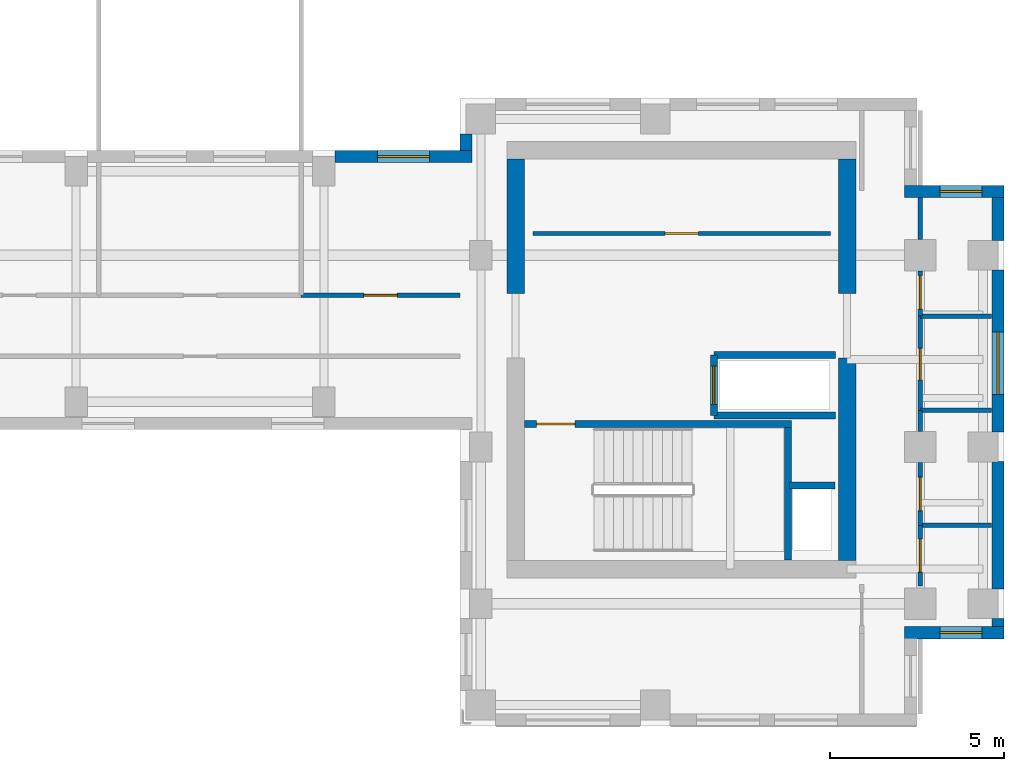
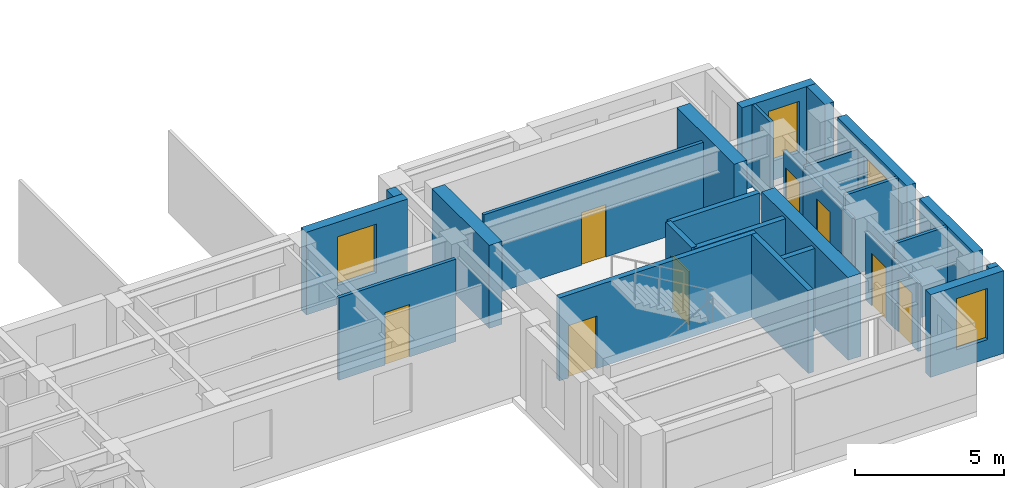
# One storey, part 6 of 10: 28 walls, 8 doors, 4 windows, 12 openings.
"""IFC4 building model written with IfcOpenShell, lengths in metres."""

from ifc_helpers import new_model, si_unit, direction, frame, frame_2d, origin, place, context, subcontext, project, spatial, rectangle, extrude, source, transform, mapped, material, layer, layer_set, type_object, element, fill, save


model = new_model("IFC4")

# Units and contexts
model_context = context("Model", 3, precision=1e-05, world=origin(), true_north=direction((0.0, 1.0)))
body_context = subcontext(model_context, "Body", "Model", "MODEL_VIEW")
ifc_project = project(units=[si_unit("LENGTHUNIT", "METRE"), si_unit("AREAUNIT", "SQUARE_METRE"), si_unit("VOLUMEUNIT", "CUBIC_METRE"), si_unit("PLANEANGLEUNIT", "RADIAN"), si_unit("MASSUNIT", "GRAM", prefix="KILO")], contexts=[model_context])

# Site, building, storey
site_placement = place(None, origin())
site = spatial("IfcSite", under=ifc_project, at=site_placement, CompositionType="ELEMENT")
building_placement = place(site_placement, origin())
building = spatial("IfcBuilding", under=site, at=building_placement, Name="Kharzan Plaza Tower", CompositionType="ELEMENT")
storey_placement = place(building_placement, frame((0.0, 0.0, 223.199951171875)))
storey = spatial("IfcBuildingStorey", under=building, at=storey_placement, Name="L60", CompositionType="ELEMENT", Elevation=223.199951171875)

# Wall, opening, window
ifc_material_1 = material(Name="Concrete C40/50", Category="concrete")
ifc_layer_1 = layer(ifc_material_1, 0.35009765625)
ifc_layer_set_1 = layer_set([ifc_layer_1], Name="Concrete C40/50")
wall_type_1 = type_object("IfcWallType", Name="WL-EXT-MAS-Z4", PredefinedType="SOLIDWALL", material=ifc_layer_set_1)
wall_1_placement = place(storey_placement, frame((47.14990234375, 2.675048828125, 0.0), z_axis=(0.0, 0.0, 1.0), x_axis=(1.0, 0.0, 0.0)))
wall_1 = element("IfcWall", 1, at=wall_1_placement, inside=storey, type_object=wall_type_1, Name="L60 Masonry-Frame Exterior Wall 38", PredefinedType="SOLIDWALL", context=body_context, shape_type="SweptSolid", body=[
    extrude(rectangle(XDim=2.85009765625, YDim=0.35009765625, at=frame_2d((1.425048828125, 0.0))), origin(), (0.0, 0.0, 1.0), 3.385009765625),
])
opening_1_placement = place(wall_1_placement, frame((1.014892578125, 0.0, 0.780029296875)))
opening_1 = element("IfcOpeningElement", 2, at=opening_1_placement, cuts=wall_1, Name="Opening W3", PredefinedType="OPENING", context=body_context, shape_type="SweptSolid", body=[
    extrude(rectangle(XDim=1.199951171875, YDim=2.10009765625, at=frame_2d((0.60009765625, 1.050048828125))), frame((0.0, 0.18505859375, 0.0), z_axis=(0.0, -1.0, 0.0), x_axis=(1.0, 0.0, 0.0)), (0.0, 0.0, 1.0), 0.3701171875),
])
ifc_material_2 = material(Name="Low-E Double Glazing", Category="glass")
window_type_1 = type_object("IfcWindowType", Name="WN-REC-1200x2100", PartitioningType="SINGLE_PANEL", PredefinedType="WINDOW", material=ifc_material_2)
shared_shape_1 = source(origin(), body_context, "Body", "SweptSolid", [
    extrude(rectangle(XDim=1.199951171875, YDim=2.10009765625, at=frame_2d((0.60009765625, 1.050048828125))), frame((0.0, 0.030029296875, 0.0), z_axis=(0.0, -1.0, 0.0), x_axis=(1.0, 0.0, 0.0)), (0.0, 0.0, 1.0), 0.06005859375),
])
window_1_placement = place(opening_1_placement, origin())
window_1 = element("IfcWindow", 3, at=window_1_placement, inside=storey, type_object=window_type_1, Name="L60 Recessed Solar-Control Window 38-1", OverallHeight=2.10009765625, OverallWidth=1.199951171875, PartitioningType="SINGLE_PANEL", PredefinedType="WINDOW", context=body_context, shape_type="MappedRepresentation", body=[
    mapped(shared_shape_1, transform((0.0, 0.0, 0.0), x_axis=(1.0, 0.0, 0.0), y_axis=(0.0, 1.0, 0.0), z_axis=(0.0, 0.0, 1.0))),
])
fill(opening_1, window_1)

wall_2_placement = place(storey_placement, frame((49.824951171875, 8.423095703125, 0.0), z_axis=(0.0, 0.0, 1.0), x_axis=(0.0, 1.0, 0.0)))
wall_2 = element("IfcWall", 4, at=wall_2_placement, inside=storey, type_object=wall_type_1, Name="L60 Masonry-Frame Exterior Wall 41", PredefinedType="SOLIDWALL", context=body_context, shape_type="SweptSolid", body=[
    extrude(rectangle(XDim=4.65380859375, YDim=0.35009765625, at=frame_2d((2.326904296875, 0.0))), origin(), (0.0, 0.0, 1.0), 3.385009765625),
])
opening_2_placement = place(wall_2_placement, frame((1.076904296875, 0.0, 0.780029296875)))
opening_2 = element("IfcOpeningElement", 5, at=opening_2_placement, cuts=wall_2, Name="Opening W1", PredefinedType="OPENING", context=body_context, shape_type="SweptSolid", body=[
    extrude(rectangle(XDim=1.800048828125, YDim=2.10009765625, at=frame_2d((0.89990234375, 1.050048828125))), frame((0.0, 0.18505859375, 0.0), z_axis=(0.0, -1.0, 0.0), x_axis=(1.0, 0.0, 0.0)), (0.0, 0.0, 1.0), 0.3701171875),
])
window_type_2 = type_object("IfcWindowType", Name="WN-REC-1800x2100", PartitioningType="SINGLE_PANEL", PredefinedType="WINDOW", material=ifc_material_2)
shared_shape_2 = source(origin(), body_context, "Body", "SweptSolid", [
    extrude(rectangle(XDim=1.800048828125, YDim=2.10009765625, at=frame_2d((0.89990234375, 1.050048828125))), frame((0.0, 0.030029296875, 0.0), z_axis=(0.0, -1.0, 0.0), x_axis=(1.0, 0.0, 0.0)), (0.0, 0.0, 1.0), 0.06005859375),
])
window_2_placement = place(opening_2_placement, origin())
window_2 = element("IfcWindow", 6, at=window_2_placement, inside=storey, type_object=window_type_2, Name="L60 Recessed Solar-Control Window 41-1", OverallHeight=2.10009765625, OverallWidth=1.800048828125, PartitioningType="SINGLE_PANEL", PredefinedType="WINDOW", context=body_context, shape_type="MappedRepresentation", body=[
    mapped(shared_shape_2, transform((0.0, 0.0, 0.0), x_axis=(1.0, 0.0, 0.0), y_axis=(0.0, 1.0, 0.0), z_axis=(0.0, 0.0, 1.0))),
])
fill(opening_2, window_2)

wall_3_placement = place(storey_placement, frame((50.0, 15.324951171875, 0.0), z_axis=(0.0, 0.0, 1.0), x_axis=(-1.0, 0.0, 0.0)))
wall_3 = element("IfcWall", 7, at=wall_3_placement, inside=storey, type_object=wall_type_1, Name="L60 Masonry-Frame Exterior Wall 43", PredefinedType="SOLIDWALL", context=body_context, shape_type="SweptSolid", body=[
    extrude(rectangle(XDim=2.85009765625, YDim=0.35009765625, at=frame_2d((1.425048828125, 0.0))), origin(), (0.0, 0.0, 1.0), 3.385009765625),
])
opening_3_placement = place(wall_3_placement, frame((0.635009765625, 0.0, 0.780029296875)))
opening_3 = element("IfcOpeningElement", 8, at=opening_3_placement, cuts=wall_3, Name="Opening W3", PredefinedType="OPENING", context=body_context, shape_type="SweptSolid", body=[
    extrude(rectangle(XDim=1.199951171875, YDim=2.10009765625, at=frame_2d((0.60009765625, 1.050048828125))), frame((0.0, 0.18505859375, 0.0), z_axis=(0.0, -1.0, 0.0), x_axis=(1.0, 0.0, 0.0)), (0.0, 0.0, 1.0), 0.3701171875),
])
window_3_placement = place(opening_3_placement, origin())
window_3 = element("IfcWindow", 9, at=window_3_placement, inside=storey, type_object=window_type_1, Name="L60 Recessed Solar-Control Window 43-1", OverallHeight=2.10009765625, OverallWidth=1.199951171875, PartitioningType="SINGLE_PANEL", PredefinedType="WINDOW", context=body_context, shape_type="MappedRepresentation", body=[
    mapped(shared_shape_1, transform((0.0, 0.0, 0.0), x_axis=(1.0, 0.0, 0.0), y_axis=(0.0, 1.0, 0.0), z_axis=(0.0, 0.0, 1.0))),
])
fill(opening_3, window_3)

wall_4_placement = place(storey_placement, frame((34.75, 16.324951171875, 0.0), z_axis=(0.0, 0.0, 1.0), x_axis=(-1.0, 0.0, 0.0)))
wall_4 = element("IfcWall", 10, at=wall_4_placement, inside=storey, type_object=wall_type_1, Name="L60 Masonry-Frame Exterior Wall 48", PredefinedType="SOLIDWALL", context=body_context, shape_type="SweptSolid", body=[
    extrude(rectangle(XDim=3.927001953125, YDim=0.35009765625, at=frame_2d((1.96337890625, 0.0))), origin(), (0.0, 0.0, 1.0), 3.385009765625),
])
opening_4_placement = place(wall_4_placement, frame((1.21337890625, 0.0, 0.780029296875)))
opening_4 = element("IfcOpeningElement", 11, at=opening_4_placement, cuts=wall_4, Name="Opening W5", PredefinedType="OPENING", context=body_context, shape_type="SweptSolid", body=[
    extrude(rectangle(XDim=1.5, YDim=2.0, at=frame_2d((0.75, 1.0))), frame((0.0, 0.18505859375, 0.0), z_axis=(0.0, -1.0, 0.0), x_axis=(1.0, 0.0, 0.0)), (0.0, 0.0, 1.0), 0.3701171875),
])
window_type_3 = type_object("IfcWindowType", Name="WN-SLT-1500x2000", PartitioningType="SINGLE_PANEL", PredefinedType="WINDOW", material=ifc_material_2)
shared_shape_3 = source(origin(), body_context, "Body", "SweptSolid", [
    extrude(rectangle(XDim=1.5, YDim=2.0, at=frame_2d((0.75, 1.0))), frame((0.0, 0.030029296875, 0.0), z_axis=(0.0, -1.0, 0.0), x_axis=(1.0, 0.0, 0.0)), (0.0, 0.0, 1.0), 0.06005859375),
])
window_4_placement = place(opening_4_placement, origin())
window_4 = element("IfcWindow", 12, at=window_4_placement, inside=storey, type_object=window_type_3, Name="L60 Recessed Solar-Control Window 48-1", OverallHeight=2.0, OverallWidth=1.5, PartitioningType="SINGLE_PANEL", PredefinedType="WINDOW", context=body_context, shape_type="MappedRepresentation", body=[
    mapped(shared_shape_3, transform((0.0, 0.0, 0.0), x_axis=(1.0, 0.0, 0.0), y_axis=(0.0, 1.0, 0.0), z_axis=(0.0, 0.0, 1.0))),
])
fill(opening_4, window_4)

# Wall, opening, door
ifc_material_3 = material(Name="Fire-Rated Gypsum Board Partition", Category="gypsum")
ifc_layer_2 = layer(ifc_material_3, 0.125)
ifc_layer_set_2 = layer_set([ifc_layer_2], Name="Fire-Rated Gypsum Board Partition")
wall_type_2 = type_object("IfcWallType", Name="WL-INT-PART-125", PredefinedType="PARTITIONING", material=ifc_layer_set_2)
wall_5_placement = place(storey_placement, frame((36.5, 14.1201171875, 0.0), z_axis=(0.0, 0.0, 1.0), x_axis=(1.0, 0.0, 0.0)))
wall_5 = element("IfcWall", 13, at=wall_5_placement, inside=storey, type_object=wall_type_2, Name="L60 Interior Partition CB-RBLS1", PredefinedType="PARTITIONING", context=body_context, shape_type="SweptSolid", body=[
    extrude(rectangle(XDim=8.52001953125, YDim=0.125, at=frame_2d((4.260009765625, 0.0))), origin(), (0.0, 0.0, 1.0), 3.385009765625),
])
opening_5_placement = place(wall_5_placement, frame((3.784912109375, 0.0, 0.0)))
opening_5 = element("IfcOpeningElement", 14, at=opening_5_placement, cuts=wall_5, Name="Opening OD1", PredefinedType="OPENING", context=body_context, shape_type="SweptSolid", body=[
    extrude(rectangle(XDim=0.949951171875, YDim=2.14990234375, at=frame_2d((0.47509765625, 1.074951171875))), frame((0.0, 0.072509765625, 0.0), z_axis=(0.0, -1.0, 0.0), x_axis=(1.0, 0.0, 0.0)), (0.0, 0.0, 1.0), 0.14501953125),
])
ifc_material_4 = material(Name="Acoustic Solid-Core Stained Oak", Category="timber")
door_type_1 = type_object("IfcDoorType", Name="DR-OFF-SINGLE", OperationType="NOTDEFINED", PredefinedType="DOOR", material=ifc_material_4)
shared_shape_4 = source(origin(), body_context, "Body", "SweptSolid", [
    extrude(rectangle(XDim=0.949951171875, YDim=2.14990234375, at=frame_2d((0.47509765625, 1.074951171875))), frame((0.0, 0.02490234375, 0.0), z_axis=(0.0, -1.0, 0.0), x_axis=(1.0, 0.0, 0.0)), (0.0, 0.0, 1.0), 0.050048828125),
])
door_1_placement = place(opening_5_placement, origin())
door_1 = element("IfcDoor", 15, at=door_1_placement, inside=storey, type_object=door_type_1, Name="L60 Mail Room Door", OperationType="SINGLE_SWING_RIGHT", OverallHeight=2.14990234375, OverallWidth=0.949951171875, PredefinedType="DOOR", context=body_context, shape_type="MappedRepresentation", body=[
    mapped(shared_shape_4, transform((0.0, 0.0, 0.0), x_axis=(1.0, 0.0, 0.0), y_axis=(0.0, 1.0, 0.0), z_axis=(0.0, 0.0, 1.0))),
])
fill(opening_5, door_1)

wall_6_placement = place(storey_placement, frame((47.60009765625, 4.02001953125, 0.0), z_axis=(0.0, 0.0, 1.0), x_axis=(0.0, 1.0, 0.0)))
wall_6 = element("IfcWall", 16, at=wall_6_placement, inside=storey, type_object=wall_type_2, Name="L60 Interior Partition SH-B3W0", PredefinedType="PARTITIONING", context=body_context, shape_type="SweptSolid", body=[
    extrude(rectangle(XDim=1.72998046875, YDim=0.125, at=frame_2d((0.864990234375, 0.0))), origin(), (0.0, 0.0, 1.0), 2.77294921875),
])
opening_6_placement = place(wall_6_placement, frame((0.389892578125, 0.0, 0.0)))
opening_6 = element("IfcOpeningElement", 17, at=opening_6_placement, cuts=wall_6, Name="Opening OD1", PredefinedType="OPENING", context=body_context, shape_type="SweptSolid", body=[
    extrude(rectangle(XDim=0.949951171875, YDim=2.14990234375, at=frame_2d((0.47509765625, 1.074951171875))), frame((0.0, 0.072509765625, 0.0), z_axis=(0.0, -1.0, 0.0), x_axis=(1.0, 0.0, 0.0)), (0.0, 0.0, 1.0), 0.14501953125),
])
door_2_placement = place(opening_6_placement, origin())
door_2 = element("IfcDoor", 18, at=door_2_placement, inside=storey, type_object=door_type_1, Name="L60 Wing B Office 1 Door", OperationType="SINGLE_SWING_RIGHT", OverallHeight=2.14990234375, OverallWidth=0.949951171875, PredefinedType="DOOR", context=body_context, shape_type="MappedRepresentation", body=[
    mapped(shared_shape_4, transform((0.0, 0.0, 0.0), x_axis=(1.0, 0.0, 0.0), y_axis=(0.0, 1.0, 0.0), z_axis=(0.0, 0.0, 1.0))),
])
fill(opening_6, door_2)

wall_7_placement = place(storey_placement, frame((47.60009765625, 5.75, 0.0), z_axis=(0.0, 0.0, 1.0), x_axis=(0.0, 1.0, 0.0)))
wall_7 = element("IfcWall", 19, at=wall_7_placement, inside=storey, type_object=wall_type_2, Name="L60 Interior Partition SH-B3W1-S1", PredefinedType="PARTITIONING", context=body_context, shape_type="SweptSolid", body=[
    extrude(rectangle(XDim=1.800048828125, YDim=0.125, at=frame_2d((0.89990234375, 0.0))), origin(), (0.0, 0.0, 1.0), 2.77294921875),
])
opening_7_placement = place(wall_7_placement, frame((0.425048828125, 0.0, 0.0)))
opening_7 = element("IfcOpeningElement", 20, at=opening_7_placement, cuts=wall_7, Name="Opening OD1", PredefinedType="OPENING", context=body_context, shape_type="SweptSolid", body=[
    extrude(rectangle(XDim=0.949951171875, YDim=2.14990234375, at=frame_2d((0.47509765625, 1.074951171875))), frame((0.0, 0.072509765625, 0.0), z_axis=(0.0, -1.0, 0.0), x_axis=(1.0, 0.0, 0.0)), (0.0, 0.0, 1.0), 0.14501953125),
])
door_3_placement = place(opening_7_placement, origin())
door_3 = element("IfcDoor", 21, at=door_3_placement, inside=storey, type_object=door_type_1, Name="L60 Wing B Office 2 Door", OperationType="SINGLE_SWING_LEFT", OverallHeight=2.14990234375, OverallWidth=0.949951171875, PredefinedType="DOOR", context=body_context, shape_type="MappedRepresentation", body=[
    mapped(shared_shape_4, transform((0.0, 0.0, 0.0), x_axis=(1.0, 0.0, 0.0), y_axis=(0.0, 1.0, 0.0), z_axis=(0.0, 0.0, 1.0))),
])
fill(opening_7, door_3)

wall_8_placement = place(storey_placement, frame((47.60009765625, 11.75, 0.0), z_axis=(0.0, 0.0, 1.0), x_axis=(0.0, 1.0, 0.0)))
wall_8 = element("IfcWall", 22, at=wall_8_placement, inside=storey, type_object=wall_type_2, Name="L60 Interior Partition SH-B3W2-S1", PredefinedType="PARTITIONING", context=body_context, shape_type="SweptSolid", body=[
    extrude(rectangle(XDim=1.300048828125, YDim=0.125, at=frame_2d((0.64990234375, 0.0))), origin(), (0.0, 0.0, 1.0), 2.77294921875),
])
opening_8_placement = place(wall_8_placement, frame((0.2099609375, 0.0, 0.0)))
opening_8 = element("IfcOpeningElement", 23, at=opening_8_placement, cuts=wall_8, Name="Opening OD1", PredefinedType="OPENING", context=body_context, shape_type="SweptSolid", body=[
    extrude(rectangle(XDim=0.949951171875, YDim=2.14990234375, at=frame_2d((0.47509765625, 1.074951171875))), frame((0.0, 0.072509765625, 0.0), z_axis=(0.0, -1.0, 0.0), x_axis=(1.0, 0.0, 0.0)), (0.0, 0.0, 1.0), 0.14501953125),
])
door_4_placement = place(opening_8_placement, origin())
door_4 = element("IfcDoor", 24, at=door_4_placement, inside=storey, type_object=door_type_1, Name="L60 Wing B Office 3 Door", OperationType="SINGLE_SWING_LEFT", OverallHeight=2.14990234375, OverallWidth=0.949951171875, PredefinedType="DOOR", context=body_context, shape_type="MappedRepresentation", body=[
    mapped(shared_shape_4, transform((0.0, 0.0, 0.0), x_axis=(1.0, 0.0, 0.0), y_axis=(0.0, 1.0, 0.0), z_axis=(0.0, 0.0, 1.0))),
])
fill(opening_8, door_4)

wall_9_placement = place(storey_placement, frame((47.60009765625, 9.050048828125, 0.0), z_axis=(0.0, 0.0, 1.0), x_axis=(0.0, 1.0, 0.0)))
wall_9 = element("IfcWall", 25, at=wall_9_placement, inside=storey, type_object=wall_type_2, Name="L60 Interior Partition SH-B3WC", PredefinedType="PARTITIONING", context=body_context, shape_type="SweptSolid", body=[
    extrude(rectangle(XDim=2.699951171875, YDim=0.125, at=frame_2d((1.35009765625, 0.0))), origin(), (0.0, 0.0, 1.0), 2.77294921875),
])
opening_9_placement = place(wall_9_placement, frame((0.875, 0.0, 0.0)))
opening_9 = element("IfcOpeningElement", 26, at=opening_9_placement, cuts=wall_9, Name="Opening WD1", PredefinedType="OPENING", context=body_context, shape_type="SweptSolid", body=[
    extrude(rectangle(XDim=0.89990234375, YDim=2.14990234375, at=frame_2d((0.449951171875, 1.074951171875))), frame((0.0, 0.072509765625, 0.0), z_axis=(0.0, -1.0, 0.0), x_axis=(1.0, 0.0, 0.0)), (0.0, 0.0, 1.0), 0.14501953125),
])
ifc_material_5 = material(Name="Moisture-Resistant Fire-Rated Laminate", Category="timber")
door_type_2 = type_object("IfcDoorType", Name="DR-WC-900", OperationType="NOTDEFINED", PredefinedType="DOOR", material=ifc_material_5)
shared_shape_5 = source(origin(), body_context, "Body", "SweptSolid", [
    extrude(rectangle(XDim=0.89990234375, YDim=2.14990234375, at=frame_2d((0.449951171875, 1.074951171875))), frame((0.0, 0.02490234375, 0.0), z_axis=(0.0, -1.0, 0.0), x_axis=(1.0, 0.0, 0.0)), (0.0, 0.0, 1.0), 0.050048828125),
])
door_5_placement = place(opening_9_placement, origin())
door_5 = element("IfcDoor", 27, at=door_5_placement, inside=storey, type_object=door_type_2, Name="L60 Wing B Washroom Door", OperationType="SINGLE_SWING_RIGHT", OverallHeight=2.14990234375, OverallWidth=0.89990234375, PredefinedType="DOOR", context=body_context, shape_type="MappedRepresentation", body=[
    mapped(shared_shape_5, transform((0.0, 0.0, 0.0), x_axis=(1.0, 0.0, 0.0), y_axis=(0.0, 1.0, 0.0), z_axis=(0.0, 0.0, 1.0))),
])
fill(opening_9, door_5)

wall_10_placement = place(storey_placement, frame((29.85009765625, 12.35009765625, 0.0), z_axis=(0.0, 0.0, 1.0), x_axis=(1.0, 0.0, 0.0)))
wall_10 = element("IfcWall", 28, at=wall_10_placement, inside=storey, type_object=wall_type_2, Name="L60 Interior Partition SH-SPNE1", PredefinedType="PARTITIONING", context=body_context, shape_type="SweptSolid", body=[
    extrude(rectangle(XDim=4.5498046875, YDim=0.125, at=frame_2d((2.27490234375, 0.0))), origin(), (0.0, 0.0, 1.0), 3.385009765625),
])
opening_10_placement = place(wall_10_placement, frame((1.800048828125, 0.0, 0.0)))
opening_10 = element("IfcOpeningElement", 29, at=opening_10_placement, cuts=wall_10, Name="Opening OD1", PredefinedType="OPENING", context=body_context, shape_type="SweptSolid", body=[
    extrude(rectangle(XDim=0.949951171875, YDim=2.14990234375, at=frame_2d((0.47509765625, 1.074951171875))), frame((0.0, 0.072509765625, 0.0), z_axis=(0.0, -1.0, 0.0), x_axis=(1.0, 0.0, 0.0)), (0.0, 0.0, 1.0), 0.14501953125),
])
door_6_placement = place(opening_10_placement, origin())
door_6 = element("IfcDoor", 30, at=door_6_placement, inside=storey, type_object=door_type_1, Name="L60 North-East Spine Door", OperationType="SINGLE_SWING_LEFT", OverallHeight=2.14990234375, OverallWidth=0.949951171875, PredefinedType="DOOR", context=body_context, shape_type="MappedRepresentation", body=[
    mapped(shared_shape_4, transform((0.0, 0.0, 0.0), x_axis=(1.0, 0.0, 0.0), y_axis=(0.0, 1.0, 0.0), z_axis=(0.0, 0.0, 1.0))),
])
fill(opening_10, door_6)

ifc_layer_3 = layer(ifc_material_1, 0.199951171875)
ifc_layer_set_3 = layer_set([ifc_layer_3], Name="Concrete C40/50")
wall_type_3 = type_object("IfcWallType", Name="WL-INT-SHAFT-200", PredefinedType="PARTITIONING", material=ifc_layer_set_3)
wall_11_placement = place(storey_placement, frame((41.679931640625, 8.89990234375, 0.0), z_axis=(0.0, 0.0, 1.0), x_axis=(0.0, 1.0, 0.0)))
wall_11 = element("IfcWall", 31, at=wall_11_placement, inside=storey, type_object=wall_type_3, Name="L60 Interior Partition SHF-SVL-2-W", PredefinedType="PARTITIONING", context=body_context, shape_type="SweptSolid", body=[
    extrude(rectangle(XDim=1.739990234375, YDim=0.199951171875, at=frame_2d((0.8701171875, 0.0))), origin(), (0.0, 0.0, 1.0), 3.385009765625),
])
opening_11_placement = place(wall_11_placement, frame((0.320068359375, 0.0, 0.0)))
opening_11 = element("IfcOpeningElement", 32, at=opening_11_placement, cuts=wall_11, Name="Opening LD", PredefinedType="OPENING", context=body_context, shape_type="SweptSolid", body=[
    extrude(rectangle(XDim=1.10009765625, YDim=2.199951171875, at=frame_2d((0.550048828125, 1.10009765625))), frame((0.0, 0.10986328125, 0.0), z_axis=(0.0, -1.0, 0.0), x_axis=(1.0, 0.0, 0.0)), (0.0, 0.0, 1.0), 0.219970703125),
])
ifc_material_6 = material(Name="Brushed Stainless Steel", Category="steel")
door_type_3 = type_object("IfcDoorType", Name="DR-LIFT-SLIDE", OperationType="SLIDING_TO_LEFT", PredefinedType="DOOR", material=ifc_material_6)
shared_shape_6 = source(origin(), body_context, "Body", "SweptSolid", [
    extrude(rectangle(XDim=1.10009765625, YDim=2.199951171875, at=frame_2d((0.550048828125, 1.10009765625))), frame((0.0, 0.02490234375, 0.0), z_axis=(0.0, -1.0, 0.0), x_axis=(1.0, 0.0, 0.0)), (0.0, 0.0, 1.0), 0.050048828125),
])
door_7_placement = place(opening_11_placement, origin())
door_7 = element("IfcDoor", 33, at=door_7_placement, inside=storey, type_object=door_type_3, Name="L60 Service Lift SVL-2 Sliding Landing Door", OperationType="SLIDING_TO_LEFT", OverallHeight=2.199951171875, OverallWidth=1.10009765625, PredefinedType="DOOR", context=body_context, shape_type="MappedRepresentation", body=[
    mapped(shared_shape_6, transform((0.0, 0.0, 0.0), x_axis=(1.0, 0.0, 0.0), y_axis=(0.0, 1.0, 0.0), z_axis=(0.0, 0.0, 1.0))),
])
fill(opening_11, door_7)

ifc_material_7 = material(Name="Concrete C50/60", Category="concrete")
ifc_layer_4 = layer(ifc_material_7, 0.199951171875)
ifc_layer_set_4 = layer_set([ifc_layer_4], Name="Concrete C50/60")
wall_type_4 = type_object("IfcWallType", Name="WL-SHAFT-RC200", PredefinedType="SHEAR", material=ifc_layer_set_4)
wall_12_placement = place(storey_placement, frame((36.251953125, 8.655029296875, 0.0), z_axis=(0.0, 0.0, 1.0), x_axis=(1.0, 0.0, 0.0)))
wall_12 = element("IfcWall", 34, at=wall_12_placement, inside=storey, type_object=wall_type_4, Name="L60 Stair ST-3 North RC Shaft Wall", PredefinedType="SHEAR", context=body_context, shape_type="SweptSolid", body=[
    extrude(rectangle(XDim=7.653076171875, YDim=0.199951171875, at=frame_2d((3.82666015625, 0.0))), origin(), (0.0, 0.0, 1.0), 3.400146484375),
])
opening_12_placement = place(wall_12_placement, frame((0.35009765625, 0.0, 0.0)))
opening_12 = element("IfcOpeningElement", 35, at=opening_12_placement, cuts=wall_12, Name="Opening SD1", PredefinedType="OPENING", context=body_context, shape_type="SweptSolid", body=[
    extrude(rectangle(XDim=1.10009765625, YDim=2.14990234375, at=frame_2d((0.550048828125, 1.074951171875))), frame((0.0, 0.10986328125, 0.0), z_axis=(0.0, -1.0, 0.0), x_axis=(1.0, 0.0, 0.0)), (0.0, 0.0, 1.0), 0.219970703125),
])
ifc_material_8 = material(Name="Fire-Rated Hollow Galvanized Steel", Category="steel")
door_type_4 = type_object("IfcDoorType", Name="DR-STAIR-FD120", OperationType="NOTDEFINED", PredefinedType="DOOR", material=ifc_material_8)
shared_shape_7 = source(origin(), body_context, "Body", "SweptSolid", [
    extrude(rectangle(XDim=1.10009765625, YDim=2.14990234375, at=frame_2d((0.550048828125, 1.074951171875))), frame((0.0, 0.02490234375, 0.0), z_axis=(0.0, -1.0, 0.0), x_axis=(1.0, 0.0, 0.0)), (0.0, 0.0, 1.0), 0.050048828125),
])
door_8_placement = place(opening_12_placement, origin())
door_8 = element("IfcDoor", 36, at=door_8_placement, inside=storey, type_object=door_type_4, Name="L60 Stair ST-3 Fire Exit Door", OperationType="SINGLE_SWING_LEFT", OverallHeight=2.14990234375, OverallWidth=1.10009765625, PredefinedType="DOOR", context=body_context, shape_type="MappedRepresentation", body=[
    mapped(shared_shape_7, transform((0.0, 0.0, 0.0), x_axis=(1.0, 0.0, 0.0), y_axis=(0.0, 1.0, 0.0), z_axis=(0.0, 0.0, 1.0))),
])
fill(opening_12, door_8)

# Walls
shared_shape_8 = source(origin(), body_context, "Body", "SweptSolid", [
    extrude(rectangle(XDim=1.2998046875, YDim=0.199951171875, at=frame_2d((0.64990234375, 0.0))), origin(), (0.0, 0.0, 1.0), 3.385009765625),
])
wall_13_placement = place(storey_placement, frame((43.85009765625, 6.89990234375, 0.0), z_axis=(0.0, 0.0, 1.0), x_axis=(1.0, 0.0, 0.0)))
element("IfcWall", 37, at=wall_13_placement, inside=storey, type_object=wall_type_3, Name="L60 Interior Partition CB-RSRB-N", PredefinedType="PARTITIONING", context=body_context, shape_type="MappedRepresentation", body=[
    mapped(shared_shape_8, transform((0.0, 0.0, 0.0), x_axis=(1.0, 0.0, 0.0), y_axis=(0.0, 1.0, 0.0), z_axis=(0.0, 0.0, 1.0))),
])
shared_shape_9 = source(origin(), body_context, "Body", "SweptSolid", [
    extrude(rectangle(XDim=3.489990234375, YDim=0.199951171875, at=frame_2d((1.7451171875, 0.0))), origin(), (0.0, 0.0, 1.0), 3.385009765625),
])
for number, where, z_axis, x_axis, name in (
    (38, (41.679931640625, 10.639892578125, 0.0), (0.0, 0.0, 1.0), (1.0, 0.0, 0.0), "L60 Interior Partition SHF-SVL-2-N"),
    (39, (41.679931640625, 8.89990234375, 0.0), (0.0, 0.0, 1.0), (1.0, 0.0, 0.0), "L60 Interior Partition SHF-SVL-2-S"),
):
    element("IfcWall", number, at=place(storey_placement, frame(where, z_axis=z_axis, x_axis=x_axis)), inside=storey, type_object=wall_type_3, Name=name, PredefinedType="PARTITIONING", context=body_context, shape_type="MappedRepresentation", body=[
        mapped(shared_shape_9, transform((0.0, 0.0, 0.0), x_axis=(1.0, 0.0, 0.0), y_axis=(0.0, 1.0, 0.0), z_axis=(0.0, 0.0, 1.0))),
    ])
ifc_layer_5 = layer(ifc_material_7, 0.5)
ifc_layer_set_5 = layer_set([ifc_layer_5], Name="Concrete C50/60")
wall_type_5 = type_object("IfcWallType", Name="WL-CORE-500", PredefinedType="SHEAR", material=ifc_layer_set_5)
shared_shape_10 = source(origin(), body_context, "Body", "SweptSolid", [
    extrude(rectangle(XDim=5.800048828125, YDim=0.5, at=frame_2d((2.89990234375, 0.0))), origin(), (0.0, 0.0, 1.0), 3.400146484375),
])
wall_14_placement = place(storey_placement, frame((45.5, 4.75, 0.0), z_axis=(0.0, 0.0, 1.0), x_axis=(0.0, 1.0, 0.0)))
element("IfcWall", 40, at=wall_14_placement, inside=storey, type_object=wall_type_5, Name="L60 CORE-B east shear pier 1", PredefinedType="SHEAR", context=body_context, shape_type="MappedRepresentation", body=[
    mapped(shared_shape_10, transform((0.0, 0.0, 0.0), x_axis=(1.0, 0.0, 0.0), y_axis=(0.0, 1.0, 0.0), z_axis=(0.0, 0.0, 1.0))),
])
shared_shape_11 = source(origin(), body_context, "Body", "SweptSolid", [
    extrude(rectangle(XDim=3.85009765625, YDim=0.5, at=frame_2d((1.925048828125, 0.0))), origin(), (0.0, 0.0, 1.0), 3.400146484375),
])
for number, where, z_axis, x_axis, name in (
    (41, (45.5, 12.39990234375, 0.0), (0.0, 0.0, 1.0), (0.0, 1.0, 0.0), "L60 CORE-B east shear pier 2"),
    (42, (36.0, 12.39990234375, 0.0), (0.0, 0.0, 1.0), (0.0, 1.0, 0.0), "L60 CORE-B west shear pier 2"),
):
    element("IfcWall", number, at=place(storey_placement, frame(where, z_axis=z_axis, x_axis=x_axis)), inside=storey, type_object=wall_type_5, Name=name, PredefinedType="SHEAR", context=body_context, shape_type="MappedRepresentation", body=[
        mapped(shared_shape_11, transform((0.0, 0.0, 0.0), x_axis=(1.0, 0.0, 0.0), y_axis=(0.0, 1.0, 0.0), z_axis=(0.0, 0.0, 1.0))),
    ])
shared_shape_12 = source(origin(), body_context, "Body", "SweptSolid", [
    extrude(rectangle(XDim=0.22900390625, YDim=0.35009765625, at=frame_2d((0.114501953125, 0.0))), origin(), (0.0, 0.0, 1.0), 3.385009765625),
])
wall_15_placement = place(storey_placement, frame((49.824951171875, 2.847900390625, 0.0), z_axis=(0.0, 0.0, 1.0), x_axis=(0.0, 1.0, 0.0)))
element("IfcWall", 43, at=wall_15_placement, inside=storey, type_object=wall_type_1, Name="L60 Masonry-Frame Exterior Wall 39", PredefinedType="SOLIDWALL", context=body_context, shape_type="MappedRepresentation", body=[
    mapped(shared_shape_12, transform((0.0, 0.0, 0.0), x_axis=(1.0, 0.0, 0.0), y_axis=(0.0, 1.0, 0.0), z_axis=(0.0, 0.0, 1.0))),
])
shared_shape_13 = source(origin(), body_context, "Body", "SweptSolid", [
    extrude(rectangle(XDim=3.65380859375, YDim=0.35009765625, at=frame_2d((1.826904296875, 0.0))), origin(), (0.0, 0.0, 1.0), 3.385009765625),
])
wall_16_placement = place(storey_placement, frame((49.824951171875, 3.923095703125, 0.0), z_axis=(0.0, 0.0, 1.0), x_axis=(0.0, 1.0, 0.0)))
element("IfcWall", 44, at=wall_16_placement, inside=storey, type_object=wall_type_1, Name="L60 Masonry-Frame Exterior Wall 40", PredefinedType="SOLIDWALL", context=body_context, shape_type="MappedRepresentation", body=[
    mapped(shared_shape_13, transform((0.0, 0.0, 0.0), x_axis=(1.0, 0.0, 0.0), y_axis=(0.0, 1.0, 0.0), z_axis=(0.0, 0.0, 1.0))),
])
shared_shape_14 = source(origin(), body_context, "Body", "SweptSolid", [
    extrude(rectangle(XDim=1.22900390625, YDim=0.35009765625, at=frame_2d((0.614501953125, 0.0))), origin(), (0.0, 0.0, 1.0), 3.385009765625),
])
wall_17_placement = place(storey_placement, frame((49.824951171875, 13.923095703125, 0.0), z_axis=(0.0, 0.0, 1.0), x_axis=(0.0, 1.0, 0.0)))
element("IfcWall", 45, at=wall_17_placement, inside=storey, type_object=wall_type_1, Name="L60 Masonry-Frame Exterior Wall 42", PredefinedType="SOLIDWALL", context=body_context, shape_type="MappedRepresentation", body=[
    mapped(shared_shape_14, transform((0.0, 0.0, 0.0), x_axis=(1.0, 0.0, 0.0), y_axis=(0.0, 1.0, 0.0), z_axis=(0.0, 0.0, 1.0))),
])
shared_shape_15 = source(origin(), body_context, "Body", "SweptSolid", [
    extrude(rectangle(XDim=2.0478515625, YDim=0.125, at=frame_2d((1.02392578125, 0.0))), origin(), (0.0, 0.0, 1.0), 3.385009765625),
])
for number, where, z_axis, x_axis, name in (
    (46, (47.60009765625, 5.75, 0.0), (0.0, 0.0, 1.0), (1.0, 0.0, 0.0), "L60 Interior Partition SH-B3H-57"),
    (47, (47.60009765625, 9.050048828125, 0.0), (0.0, 0.0, 1.0), (1.0, 0.0, 0.0), "L60 Interior Partition SH-B3H-90"),
):
    element("IfcWall", number, at=place(storey_placement, frame(where, z_axis=z_axis, x_axis=x_axis)), inside=storey, type_object=wall_type_2, Name=name, PredefinedType="PARTITIONING", context=body_context, shape_type="MappedRepresentation", body=[
        mapped(shared_shape_15, transform((0.0, 0.0, 0.0), x_axis=(1.0, 0.0, 0.0), y_axis=(0.0, 1.0, 0.0), z_axis=(0.0, 0.0, 1.0))),
    ])
shared_shape_16 = source(origin(), body_context, "Body", "SweptSolid", [
    extrude(rectangle(XDim=1.197998046875, YDim=0.125, at=frame_2d((0.59912109375, 0.0))), origin(), (0.0, 0.0, 1.0), 3.385009765625),
])
wall_18_placement = place(storey_placement, frame((47.60009765625, 13.949951171875, 0.0), z_axis=(0.0, 0.0, 1.0), x_axis=(0.0, 1.0, 0.0)))
element("IfcWall", 48, at=wall_18_placement, inside=storey, type_object=wall_type_2, Name="L60 Interior Partition SH-B3W2-S2", PredefinedType="PARTITIONING", context=body_context, shape_type="MappedRepresentation", body=[
    mapped(shared_shape_16, transform((0.0, 0.0, 0.0), x_axis=(1.0, 0.0, 0.0), y_axis=(0.0, 1.0, 0.0), z_axis=(0.0, 0.0, 1.0))),
])
shared_shape_17 = source(origin(), body_context, "Body", "SweptSolid", [
    extrude(rectangle(XDim=3.802978515625, YDim=0.199951171875, at=frame_2d((1.9013671875, 0.0))), origin(), (0.0, 0.0, 1.0), 3.400146484375),
])
wall_19_placement = place(storey_placement, frame((43.804931640625, 4.751953125, 0.0), z_axis=(0.0, 0.0, 1.0), x_axis=(0.0, 1.0, 0.0)))
element("IfcWall", 49, at=wall_19_placement, inside=storey, type_object=wall_type_4, Name="L60 Stair ST-3 East RC Shaft Wall", PredefinedType="SHEAR", context=body_context, shape_type="MappedRepresentation", body=[
    mapped(shared_shape_17, transform((0.0, 0.0, 0.0), x_axis=(1.0, 0.0, 0.0), y_axis=(0.0, 1.0, 0.0), z_axis=(0.0, 0.0, 1.0))),
])
shared_shape_18 = source(origin(), body_context, "Body", "SweptSolid", [
    extrude(rectangle(XDim=2.0478515625, YDim=0.125, at=frame_2d((1.02392578125, 0.0))), origin(), (0.0, 0.0, 1.0), 2.916015625),
])
wall_20_placement = place(storey_placement, frame((47.60009765625, 11.75, 0.0), z_axis=(0.0, 0.0, 1.0), x_axis=(1.0, 0.0, 0.0)))
element("IfcWall", 50, at=wall_20_placement, inside=storey, type_object=wall_type_2, Name="L60 Interior Partition SH-B3H-117", PredefinedType="PARTITIONING", context=body_context, shape_type="MappedRepresentation", body=[
    mapped(shared_shape_18, transform((0.0, 0.0, 0.0), x_axis=(1.0, 0.0, 0.0), y_axis=(0.0, 1.0, 0.0), z_axis=(0.0, 0.0, 1.0))),
])
shared_shape_19 = source(origin(), body_context, "Body", "SweptSolid", [
    extrude(rectangle(XDim=0.60009765625, YDim=0.125, at=frame_2d((0.300048828125, 0.0))), origin(), (0.0, 0.0, 1.0), 2.77294921875),
])
wall_21_placement = place(storey_placement, frame((47.60009765625, 8.449951171875, 0.0), z_axis=(0.0, 0.0, 1.0), x_axis=(0.0, 1.0, 0.0)))
element("IfcWall", 51, at=wall_21_placement, inside=storey, type_object=wall_type_2, Name="L60 Interior Partition SH-B3W1-S2", PredefinedType="PARTITIONING", context=body_context, shape_type="MappedRepresentation", body=[
    mapped(shared_shape_19, transform((0.0, 0.0, 0.0), x_axis=(1.0, 0.0, 0.0), y_axis=(0.0, 1.0, 0.0), z_axis=(0.0, 0.0, 1.0))),
])
shared_shape_20 = source(origin(), body_context, "Body", "SweptSolid", [
    extrude(rectangle(XDim=0.47900390625, YDim=0.35009765625, at=frame_2d((0.239501953125, 0.0))), origin(), (0.0, 0.0, 1.0), 3.385009765625),
])
wall_22_placement = place(storey_placement, frame((34.574951171875, 16.97705078125, 0.0), z_axis=(0.0, 0.0, 1.0), x_axis=(0.0, -1.0, 0.0)))
element("IfcWall", 52, at=wall_22_placement, inside=storey, type_object=wall_type_1, Name="L60 Masonry-Frame Exterior Wall 47", PredefinedType="SOLIDWALL", context=body_context, shape_type="MappedRepresentation", body=[
    mapped(shared_shape_20, transform((0.0, 0.0, 0.0), x_axis=(1.0, 0.0, 0.0), y_axis=(0.0, 1.0, 0.0), z_axis=(0.0, 0.0, 1.0))),
])

save(model, "model.ifc")
